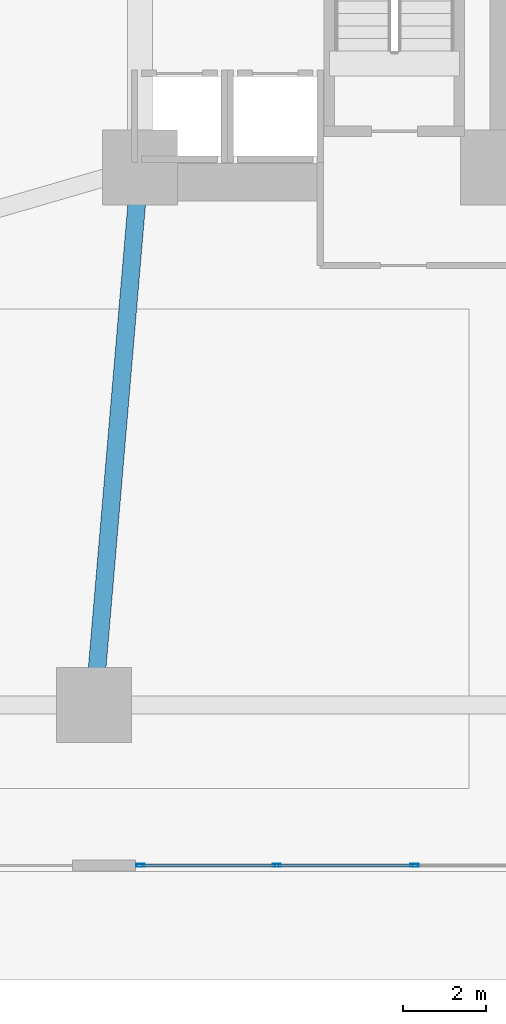
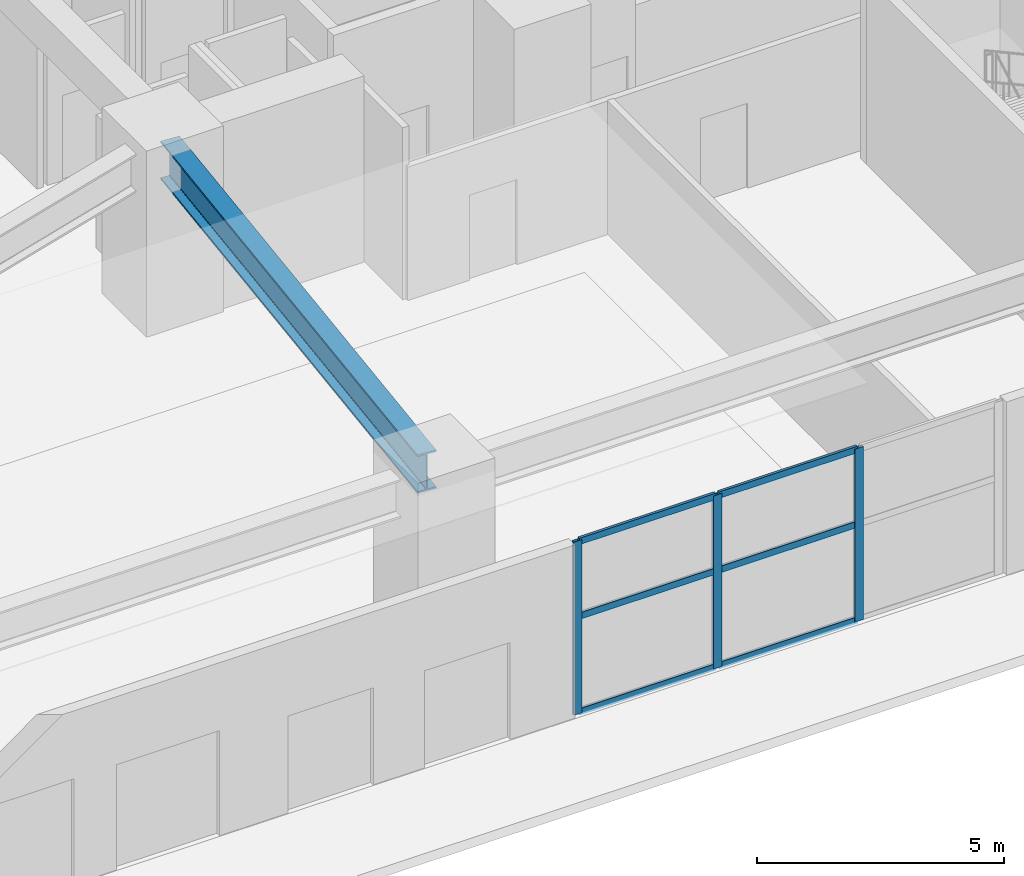
# One storey, part 6 of 18: 9 members, 1 beam, 1 element without a shape of its own.
"""IFC4 building model written with IfcOpenShell, lengths in metres."""

from ifc_helpers import new_model, si_unit, direction, frame, origin, origin_2d, place, context, subcontext, project, spatial, hollow_rectangle, i_section, extrude, material, layer, layer_set, material_profile, profile_set, type_object, element, aggregate, save


model = new_model("IFC4")

# Units and contexts
model_context = context("Model", 3, precision=1e-05, world=origin(), true_north=direction((0.0, 1.0)))
body_context = subcontext(model_context, "Body", "Model", "MODEL_VIEW")
ifc_project = project(units=[si_unit("LENGTHUNIT", "METRE"), si_unit("AREAUNIT", "SQUARE_METRE"), si_unit("VOLUMEUNIT", "CUBIC_METRE"), si_unit("PLANEANGLEUNIT", "RADIAN"), si_unit("MASSUNIT", "GRAM", prefix="KILO")], contexts=[model_context])

# Site, building, storey
site_placement = place(None, origin())
site = spatial("IfcSite", under=ifc_project, at=site_placement, CompositionType="ELEMENT")
building_placement = place(site_placement, origin())
building = spatial("IfcBuilding", under=site, at=building_placement, Name="Solvane Sanctuary Tower", CompositionType="ELEMENT")
storey_placement = place(building_placement, origin())
storey = spatial("IfcBuildingStorey", under=building, at=storey_placement, Name="L01", CompositionType="ELEMENT", Elevation=0.0)

# Beam
ifc_material_1 = material(Name="Steel ASTM A913 Grade 65", Category="steel")
ifc_material_profile_1 = material_profile(ifc_material_1, i_section(OverallWidth=0.423095703125, OverallDepth=0.947998046875, WebThickness=0.02392578125, FlangeThickness=0.042724609375, FilletRadius=0.02392578125, at=origin_2d()), Name="W36X302")
ifc_profile_set_1 = profile_set([ifc_material_profile_1], Name="Steel ASTM A913 Grade 65")
beam_type = type_object("IfcBeamType", Name="Beam B-POD-GIRD W36X302", PredefinedType="BEAM", material=ifc_profile_set_1)
beam_placement = place(storey_placement, frame((39.02978515625, 4.3486328125, 3.803955078125), z_axis=(0.084962372295, 0.996384160499, 0.0), x_axis=(-0.996384160499, 0.084962372295, 0.0)))
element("IfcBeam", 1, at=beam_placement, inside=storey, type_object=beam_type, Name="L01 Podium Primary Girder PG10", PredefinedType="BEAM", context=body_context, shape_type="SweptSolid", body=[
    extrude(i_section(OverallWidth=0.423095703125, OverallDepth=0.947998046875, WebThickness=0.02392578125, FlangeThickness=0.042724609375, FilletRadius=0.02392578125, at=origin_2d()), origin(), (0.0, 0.0, 1.0), 12.246826171875),
])

# Curtain wall, members
ifc_material_2 = material(Name="Anodised Aluminium 6063-T6", Category="aluminium")
ifc_layer = layer(ifc_material_2, 0.159912109375, Name="Anodised Aluminium 6063-T6")
ifc_layer_set = layer_set([ifc_layer], Name="Anodised Aluminium 6063-T6")
curtain_wall_type = type_object("IfcCurtainWallType", Name="Curtain Wall CW-POD", PredefinedType="NOTDEFINED", material=ifc_layer_set)
curtain_wall_placement = place(storey_placement, origin())
curtain_wall = element("IfcCurtainWall", 2, at=curtain_wall_placement, inside=storey, type_object=curtain_wall_type, Name="L01 Arrival Curtain Wall S4", PredefinedType="NOTDEFINED")
ifc_material_profile_2 = material_profile(ifc_material_2, hollow_rectangle(XDim=0.074951171875, YDim=0.199951171875, WallThickness=0.00390625, at=origin_2d()), Name="ALU200X75X4")
ifc_profile_set_2 = profile_set([ifc_material_profile_2], Name="Anodised Aluminium 6063-T6")
member_type_1 = type_object("IfcMemberType", Name="Member M-CW-MUL-1 ALU200X75X4", PredefinedType="MULLION", material=ifc_profile_set_2)
member_1_placement = place(storey_placement, frame((40.117431640625, 0.14990234375, 0.0), z_axis=(0.0, 0.0, 1.0), x_axis=(0.0, 1.0, 0.0)))
member_1 = element("IfcMember", 3, at=member_1_placement, type_object=member_type_1, Name="CW-POD mullion 1", PredefinedType="MULLION", context=body_context, shape_type="SweptSolid", body=[
    extrude(hollow_rectangle(XDim=0.074951171875, YDim=0.199951171875, WallThickness=0.00390625, at=origin_2d()), origin(), (0.0, 0.0, 1.0), 4.280029296875),
])
member_2_placement = place(storey_placement, frame((43.38671875, 0.14990234375, 0.0), z_axis=(0.0, 0.0, 1.0), x_axis=(0.0, 1.0, 0.0)))
member_2 = element("IfcMember", 4, at=member_2_placement, type_object=member_type_1, Name="CW-POD mullion 2", PredefinedType="MULLION", context=body_context, shape_type="SweptSolid", body=[
    extrude(hollow_rectangle(XDim=0.074951171875, YDim=0.199951171875, WallThickness=0.00390625, at=origin_2d()), origin(), (0.0, 0.0, 1.0), 4.280029296875),
])
member_3_placement = place(storey_placement, frame((46.693359375, 0.14990234375, 0.0), z_axis=(0.0, 0.0, 1.0), x_axis=(0.0, 1.0, 0.0)))
member_3 = element("IfcMember", 5, at=member_3_placement, type_object=member_type_1, Name="CW-POD mullion 3", PredefinedType="MULLION", context=body_context, shape_type="SweptSolid", body=[
    extrude(hollow_rectangle(XDim=0.074951171875, YDim=0.199951171875, WallThickness=0.00390625, at=origin_2d()), origin(), (0.0, 0.0, 1.0), 4.280029296875),
])
ifc_material_profile_3 = material_profile(ifc_material_2, hollow_rectangle(XDim=0.06494140625, YDim=0.159912109375, WallThickness=0.00341796875, at=origin_2d()), Name="ALU160X65X3.5")
ifc_profile_set_3 = profile_set([ifc_material_profile_3], Name="Anodised Aluminium 6063-T6")
member_type_2 = type_object("IfcMemberType", Name="Member M-CW-TRN-1 ALU160X65X3.5", PredefinedType="USERDEFINED", material=ifc_profile_set_3)
member_4_placement = place(storey_placement, frame((40.155029296875, 0.14990234375, 0.032470703125), z_axis=(1.0, 0.0, 0.0), x_axis=(0.0, 1.0, 0.0)))
member_4 = element("IfcMember", 6, at=member_4_placement, type_object=member_type_2, Name="CW-POD transom 1.1", ObjectType="TRANSOM", PredefinedType="USERDEFINED", context=body_context, shape_type="SweptSolid", body=[
    extrude(hollow_rectangle(XDim=0.06494140625, YDim=0.159912109375, WallThickness=0.00341796875, at=origin_2d()), origin(), (0.0, 0.0, 1.0), 3.194091796875),
])
member_5_placement = place(storey_placement, frame((40.155029296875, 0.14990234375, 2.39990234375), z_axis=(1.0, 0.0, 0.0), x_axis=(0.0, 1.0, 0.0)))
member_5 = element("IfcMember", 7, at=member_5_placement, type_object=member_type_2, Name="CW-POD transom 1.2", ObjectType="TRANSOM", PredefinedType="USERDEFINED", context=body_context, shape_type="SweptSolid", body=[
    extrude(hollow_rectangle(XDim=0.06494140625, YDim=0.159912109375, WallThickness=0.00341796875, at=origin_2d()), origin(), (0.0, 0.0, 1.0), 3.194091796875),
])
member_6_placement = place(storey_placement, frame((40.155029296875, 0.14990234375, 4.24755859375), z_axis=(1.0, 0.0, 0.0), x_axis=(0.0, 1.0, 0.0)))
member_6 = element("IfcMember", 8, at=member_6_placement, type_object=member_type_2, Name="CW-POD transom 1.3", ObjectType="TRANSOM", PredefinedType="USERDEFINED", context=body_context, shape_type="SweptSolid", body=[
    extrude(hollow_rectangle(XDim=0.06494140625, YDim=0.159912109375, WallThickness=0.00341796875, at=origin_2d()), origin(), (0.0, 0.0, 1.0), 3.194091796875),
])
member_7_placement = place(storey_placement, frame((43.424072265625, 0.14990234375, 0.032470703125), z_axis=(1.0, 0.0, 0.0), x_axis=(0.0, 1.0, 0.0)))
member_7 = element("IfcMember", 9, at=member_7_placement, type_object=member_type_2, Name="CW-POD transom 2.1", ObjectType="TRANSOM", PredefinedType="USERDEFINED", context=body_context, shape_type="SweptSolid", body=[
    extrude(hollow_rectangle(XDim=0.06494140625, YDim=0.159912109375, WallThickness=0.00341796875, at=origin_2d()), origin(), (0.0, 0.0, 1.0), 3.231689453125),
])
member_8_placement = place(storey_placement, frame((43.424072265625, 0.14990234375, 2.39990234375), z_axis=(1.0, 0.0, 0.0), x_axis=(0.0, 1.0, 0.0)))
member_8 = element("IfcMember", 10, at=member_8_placement, type_object=member_type_2, Name="CW-POD transom 2.2", ObjectType="TRANSOM", PredefinedType="USERDEFINED", context=body_context, shape_type="SweptSolid", body=[
    extrude(hollow_rectangle(XDim=0.06494140625, YDim=0.159912109375, WallThickness=0.00341796875, at=origin_2d()), origin(), (0.0, 0.0, 1.0), 3.231689453125),
])
member_9_placement = place(storey_placement, frame((43.424072265625, 0.14990234375, 4.24755859375), z_axis=(1.0, 0.0, 0.0), x_axis=(0.0, 1.0, 0.0)))
member_9 = element("IfcMember", 11, at=member_9_placement, type_object=member_type_2, Name="CW-POD transom 2.3", ObjectType="TRANSOM", PredefinedType="USERDEFINED", context=body_context, shape_type="SweptSolid", body=[
    extrude(hollow_rectangle(XDim=0.06494140625, YDim=0.159912109375, WallThickness=0.00341796875, at=origin_2d()), origin(), (0.0, 0.0, 1.0), 3.231689453125),
])
aggregate(curtain_wall, [member_1, member_2, member_3, member_4, member_5, member_6, member_7, member_8, member_9])

save(model, "model.ifc")
